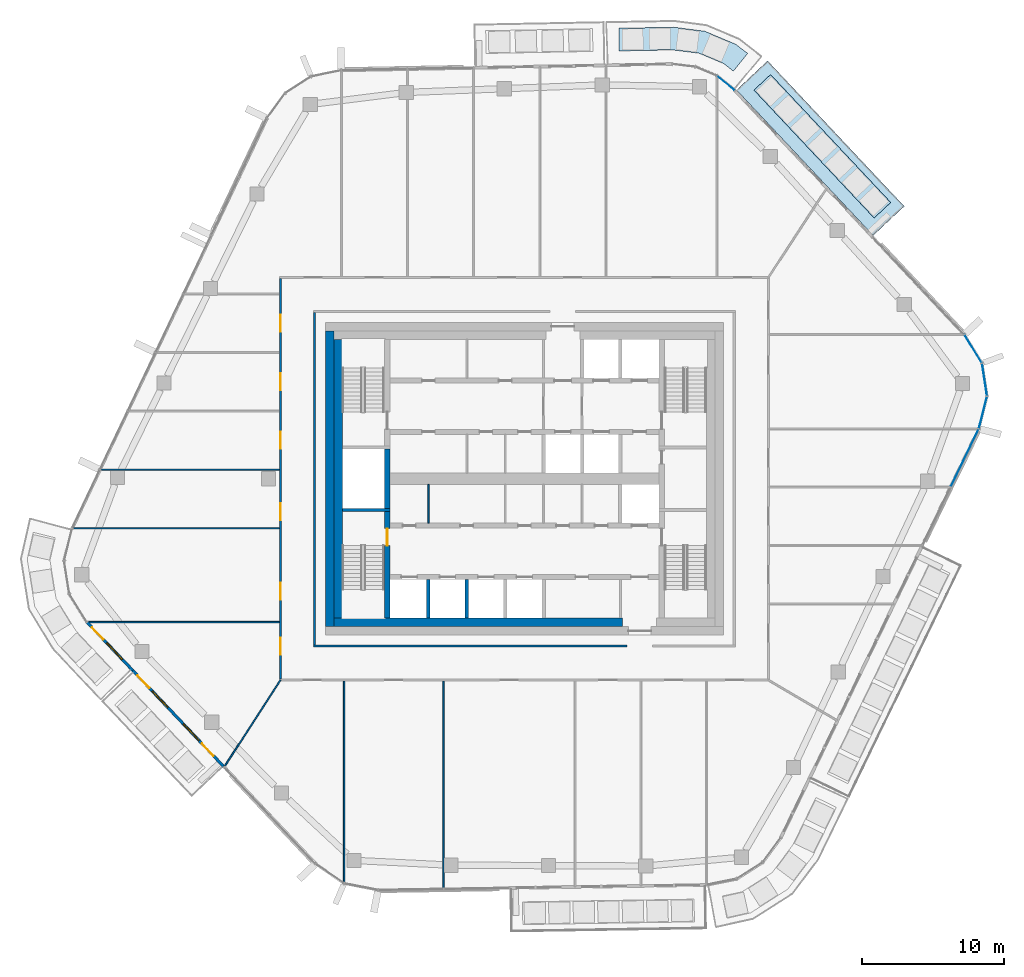
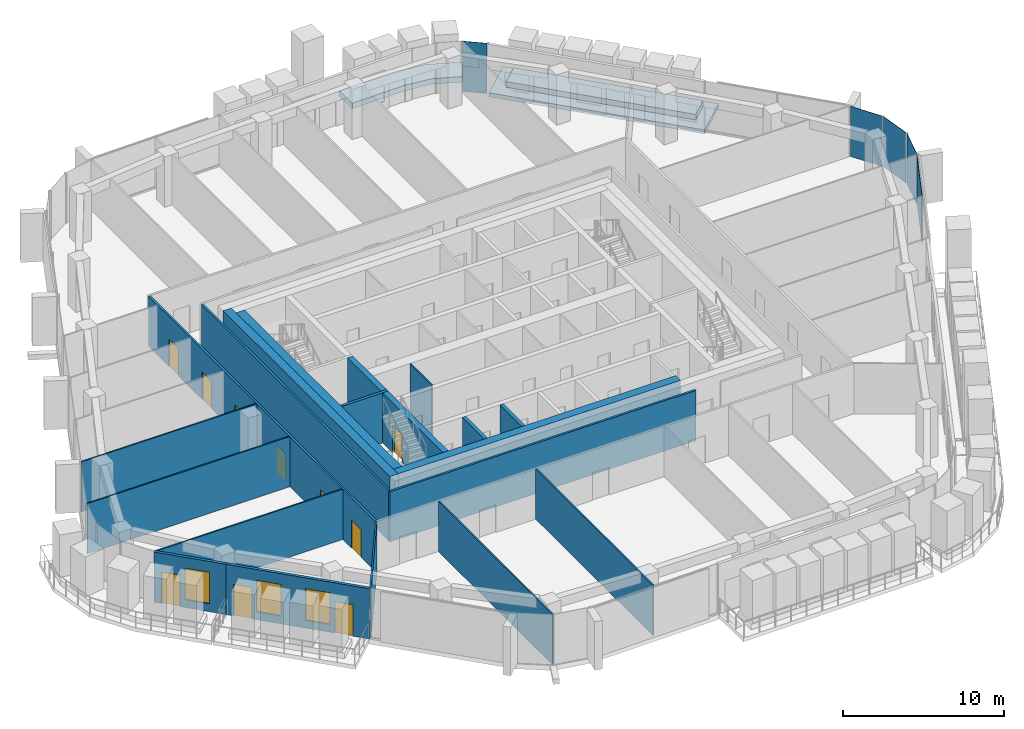
# One storey, part 12 of 24: 20 walls, 10 doors, 5 plates, 3 slabs, 3 windows, 13 openings, 3 elements without a shape of their own.
"""IFC4 building model written with IfcOpenShell, lengths in metres."""

from ifc_helpers import new_model, si_unit, direction, frame, frame_2d, origin, origin_2d, place, context, subcontext, project, spatial, polyline, rectangle, outline, extrude, material, layer, layer_set, type_object, element, fill, aggregate, save


model = new_model("IFC4")

# Units and contexts
model_context = context("Model", 3, precision=1e-05, world=origin(), true_north=direction((0.0, 1.0)))
body_context = subcontext(model_context, "Body", "Model", "MODEL_VIEW")
ifc_project = project(units=[si_unit("LENGTHUNIT", "METRE"), si_unit("AREAUNIT", "SQUARE_METRE"), si_unit("VOLUMEUNIT", "CUBIC_METRE"), si_unit("PLANEANGLEUNIT", "RADIAN"), si_unit("MASSUNIT", "GRAM", prefix="KILO")], contexts=[model_context])

# Site, building, storey
site_placement = place(None, origin())
site = spatial("IfcSite", under=ifc_project, at=site_placement, CompositionType="ELEMENT")
building_placement = place(site_placement, origin())
building = spatial("IfcBuilding", under=site, at=building_placement, Name="Dongbaek Canopy Tower", CompositionType="ELEMENT")
storey_placement = place(building_placement, frame((0.0, 0.0, 302.60009765625)))
storey = spatial("IfcBuildingStorey", under=building, at=storey_placement, Name="L64", CompositionType="ELEMENT", Elevation=302.60009765625)

# Slab
ifc_material_1 = material(Name="Concrete C40/50", Category="concrete")
ifc_layer_1 = layer(ifc_material_1, 0.300048828125)
ifc_layer_set_1 = layer_set([ifc_layer_1], Name="Balcony slab 300")
slab_type_1 = type_object("IfcSlabType", Name="Balcony slab 300", PredefinedType="FLOOR", material=ifc_layer_set_1)
slab_1_placement = place(storey_placement, frame((0.0, 0.0, -0.300048828125)))
element("IfcSlab", 1, at=slab_1_placement, inside=storey, type_object=slab_type_1, Name="Balcony L64 1", PredefinedType="FLOOR", context=body_context, shape_type="SweptSolid", body=[
    extrude(outline(polyline([(24.521240234375, 17.105224609375), (14.907958984375, 27.33447265625), (17.093994140625, 29.388916015625), (26.707275390625, 19.15966796875), (24.521240234375, 17.105224609375)])), origin(), (0.0, 0.0, 1.0), 0.300048828125),
])

# Curtain wall, plates
ifc_material_2 = material(Name="Aluminium 6063-T6 pale anodised", Category="aluminium")
ifc_layer_2 = layer(ifc_material_2, 0.199951171875)
ifc_layer_set_2 = layer_set([ifc_layer_2], Name="CW-1 unitised tower curtain wall")
curtain_wall_type = type_object("IfcCurtainWallType", Name="CW-1 unitised tower curtain wall", PredefinedType="NOTDEFINED", material=ifc_layer_set_2)
curtain_wall_1_placement = place(storey_placement, origin())
curtain_wall_1 = element("IfcCurtainWall", 2, at=curtain_wall_1_placement, inside=storey, type_object=curtain_wall_type, Name="CW-1 curtain wall K0.1", PredefinedType="NOTDEFINED")
ifc_material_3 = material(Name="Clear laminated glass", Category="glass")
ifc_layer_3 = layer(ifc_material_3, 0.028076171875)
ifc_layer_set_3 = layer_set([ifc_layer_3], Name="CW-1 glazed panel 28")
plate_type = type_object("IfcPlateType", Name="CW-1 glazed panel 28", PredefinedType="CURTAIN_PANEL", material=ifc_layer_set_3)
plate_1_placement = place(storey_placement, frame((32.23583984375, 4.656494140625, 0.0), z_axis=(0.0, 0.0, 1.0), x_axis=(0.247503311967, 0.968887047372, 0.0)))
plate_1 = element("IfcPlate", 3, at=plate_1_placement, type_object=plate_type, Name="CW-1 panel K0.1.1.1", PredefinedType="CURTAIN_PANEL", context=body_context, shape_type="SweptSolid", body=[
    extrude(rectangle(XDim=2.280029296875, YDim=0.028076171875, at=origin_2d()), origin(), (0.0, 0.0, 1.0), 3.820068359375),
])
plate_2_placement = place(storey_placement, frame((32.3505859375, 6.965087890625, 0.0), z_axis=(0.0, 0.0, 1.0), x_axis=(-0.151105947634, 0.988517573233, 0.0)))
plate_2 = element("IfcPlate", 4, at=plate_2_placement, type_object=plate_type, Name="CW-1 panel K0.1.2.1", PredefinedType="CURTAIN_PANEL", context=body_context, shape_type="SweptSolid", body=[
    extrude(rectangle(XDim=2.269775390625, YDim=0.028076171875, at=origin_2d()), origin(), (0.0, 0.0, 1.0), 3.820068359375),
])
plate_3_placement = place(storey_placement, frame((31.551513671875, 9.134033203125, 0.0), z_axis=(0.0, 0.0, 1.0), x_axis=(-0.525647852836, 0.850702259789, 0.0)))
plate_3 = element("IfcPlate", 5, at=plate_3_placement, type_object=plate_type, Name="CW-1 panel K0.1.3.1", PredefinedType="CURTAIN_PANEL", context=body_context, shape_type="SweptSolid", body=[
    extrude(rectangle(XDim=2.280029296875, YDim=0.028076171875, at=origin_2d()), origin(), (0.0, 0.0, 1.0), 3.820068359375),
])
aggregate(curtain_wall_1, [plate_1, plate_2, plate_3])

# Curtain wall, plate
curtain_wall_2_placement = place(storey_placement, origin())
curtain_wall_2 = element("IfcCurtainWall", 6, at=curtain_wall_2_placement, inside=storey, type_object=curtain_wall_type, Name="CW-1 curtain wall K1.1", PredefinedType="NOTDEFINED")
plate_4_placement = place(storey_placement, frame((14.164794921875, 27.8125, 0.0), z_axis=(0.0, 0.0, 1.0), x_axis=(-0.779328281128, 0.626615855396, 0.0)))
plate_4 = element("IfcPlate", 7, at=plate_4_placement, type_object=plate_type, Name="CW-1 panel K1.1.1.1", PredefinedType="CURTAIN_PANEL", context=body_context, shape_type="SweptSolid", body=[
    extrude(rectangle(XDim=1.560302734375, YDim=0.028076171875, at=origin_2d()), origin(), (0.0, 0.0, 1.0), 3.820068359375),
])
aggregate(curtain_wall_2, [plate_4])

curtain_wall_3_placement = place(storey_placement, origin())
curtain_wall_3 = element("IfcCurtainWall", 8, at=curtain_wall_3_placement, inside=storey, type_object=curtain_wall_type, Name="CW-1 curtain wall F5.1", PredefinedType="NOTDEFINED")
plate_5_placement = place(storey_placement, frame((30.951416015625, 1.462646484375, 0.1201171875), z_axis=(0.0, 0.0, 1.0), x_axis=(0.435863332121, 0.900012864193, 0.0)))
plate_5 = element("IfcPlate", 9, at=plate_5_placement, type_object=plate_type, Name="CW-1 panel F5.1.2.1", PredefinedType="CURTAIN_PANEL", context=body_context, shape_type="SweptSolid", body=[
    extrude(rectangle(XDim=4.468017578125, YDim=0.028076171875, at=origin_2d()), origin(), (0.0, 0.0, 1.0), 3.699951171875),
])
aggregate(curtain_wall_3, [plate_5])

# Slabs
ifc_material_4 = material(Name="Reinforced concrete C40/50 planter box with soil", Category="concrete")
ifc_layer_4 = layer(ifc_material_4, 0.419921875)
ifc_layer_set_4 = layer_set([ifc_layer_4], Name="Terrace planter box 1600 x 420")
slab_type_2 = type_object("IfcSlabType", Name="Terrace planter box 1600 x 420", PredefinedType="USERDEFINED", material=ifc_layer_set_4)
slab_2_placement = place(storey_placement, origin())
element("IfcSlab", 10, at=slab_2_placement, inside=storey, type_object=slab_type_2, Name="Balcony planter L64 1", ObjectType="PLANTER", PredefinedType="USERDEFINED", context=body_context, shape_type="SweptSolid", body=[
    extrude(outline(polyline([(24.587646484375, 18.334228515625), (16.138427734375, 27.324462890625), (17.304443359375, 28.420166015625), (25.75341796875, 19.429931640625), (24.587646484375, 18.334228515625)])), origin(), (0.0, 0.0, 1.0), 0.419921875),
])
slab_3_placement = place(storey_placement, origin())
element("IfcSlab", 11, at=slab_3_placement, inside=storey, type_object=slab_type_2, Name="Balcony planter L64 6", ObjectType="PLANTER", PredefinedType="USERDEFINED", context=body_context, shape_type="SweptSolid", body=[
    extrude(outline(polyline([(14.69091796875, 28.65966796875), (14.03173828125, 29.1787109375), (12.26953125, 29.921142578125), (10.43310546875, 30.149658203125), (6.666015625, 30.08056640625), (6.6357421875, 31.68017578125), (10.51416015625, 31.74755859375), (12.68017578125, 31.467529296875), (14.851806640625, 30.552490234375), (15.693603515625, 29.90673828125), (14.69091796875, 28.65966796875)])), origin(), (0.0, 0.0, 1.0), 0.419921875),
])

# Walls
ifc_material_5 = material(Name="Concrete C80/95", Category="concrete")
ifc_layer_5 = layer(ifc_material_5, 0.60009765625)
ifc_layer_set_5 = layer_set([ifc_layer_5], Name="Core outer wall 600 Concrete C80/95")
wall_type_1 = type_object("IfcWallType", Name="Core outer wall 600 Concrete C80/95", PredefinedType="SHEAR", material=ifc_layer_set_5)
wall_1_placement = place(storey_placement, frame((-13.699951171875, -10.39990234375, 0.0), z_axis=(0.0, 0.0, 1.0), x_axis=(0.0, 1.0, 0.0)))
element("IfcWall", 12, at=wall_1_placement, inside=storey, type_object=wall_type_1, Name="Core wall", PredefinedType="SHEAR", context=body_context, shape_type="SweptSolid", body=[
    extrude(rectangle(XDim=20.7998046875, YDim=0.60009765625, at=frame_2d((10.39990234375, 0.0))), origin(), (0.0, 0.0, 1.0), 3.81982421875),
])
ifc_material_6 = material(Name="Concrete C60/75", Category="concrete")
ifc_layer_6 = layer(ifc_material_6, 0.60009765625)
ifc_layer_set_6 = layer_set([ifc_layer_6], Name="Core wall lining 600 Concrete C60/75")
wall_type_2 = type_object("IfcWallType", Name="Core wall lining 600 Concrete C60/75", PredefinedType="SHEAR", material=ifc_layer_set_6)
wall_2_placement = place(storey_placement, frame((6.89990234375, -10.10009765625, 0.0), z_axis=(0.0, 0.0, 1.0), x_axis=(-1.0, 0.0, 0.0)))
element("IfcWall", 13, at=wall_2_placement, inside=storey, type_object=wall_type_2, Name="Core wall lining", PredefinedType="SHEAR", context=body_context, shape_type="SweptSolid", body=[
    extrude(rectangle(XDim=20.2998046875, YDim=0.60009765625, at=frame_2d((10.14990234375, 0.0))), origin(), (0.0, 0.0, 1.0), 3.81982421875),
])
wall_3_placement = place(storey_placement, frame((-13.10009765625, -9.800048828125, 0.0), z_axis=(0.0, 0.0, 1.0), x_axis=(0.0, 1.0, 0.0)))
element("IfcWall", 14, at=wall_3_placement, inside=storey, type_object=wall_type_2, Name="Core wall lining", PredefinedType="SHEAR", context=body_context, shape_type="SweptSolid", body=[
    extrude(rectangle(XDim=19.60009765625, YDim=0.60009765625, at=frame_2d((9.800048828125, 0.0))), origin(), (0.0, 0.0, 1.0), 3.81982421875),
])
ifc_material_7 = material(Name="Gypsum board partition, steel stud, 2 x 15 mm fire board", Category="steel")
ifc_layer_7 = layer(ifc_material_7, 0.14990234375)
ifc_layer_set_7 = layer_set([ifc_layer_7], Name="Fire-rated partition 150 gypsum board")
wall_type_3 = type_object("IfcWallType", Name="Fire-rated partition 150 gypsum board", PredefinedType="PARTITIONING", material=ifc_layer_set_7)
wall_4_placement = place(storey_placement, frame((-14.824951171875, -11.75, 0.0), z_axis=(0.0, 0.0, 1.0), x_axis=(1.0, 0.0, 0.0)))
element("IfcWall", 15, at=wall_4_placement, inside=storey, type_object=wall_type_3, Name="Corridor partition", PredefinedType="PARTITIONING", context=body_context, shape_type="SweptSolid", body=[
    extrude(rectangle(XDim=22.02490234375, YDim=0.14990234375, at=frame_2d((11.012451171875, 0.0))), origin(), (0.0, 0.0, 1.0), 3.81982421875),
])
wall_5_placement = place(storey_placement, frame((-14.75, -11.675048828125, 0.0), z_axis=(0.0, 0.0, 1.0), x_axis=(0.0, 1.0, 0.0)))
element("IfcWall", 16, at=wall_5_placement, inside=storey, type_object=wall_type_3, Name="Corridor partition", PredefinedType="PARTITIONING", context=body_context, shape_type="SweptSolid", body=[
    extrude(rectangle(XDim=23.35009765625, YDim=0.14990234375, at=frame_2d((11.675048828125, 0.0))), origin(), (0.0, 0.0, 1.0), 3.81982421875),
])

# Wall, openings, doors
wall_6_placement = place(storey_placement, frame((-17.14990234375, -14.074951171875, 0.0), z_axis=(0.0, 0.0, 1.0), x_axis=(0.0, 1.0, 0.0)))
wall_6 = element("IfcWall", 17, at=wall_6_placement, inside=storey, type_object=wall_type_3, Name="Corridor partition", PredefinedType="PARTITIONING", context=body_context, shape_type="SweptSolid", body=[
    extrude(rectangle(XDim=28.14990234375, YDim=0.14990234375, at=frame_2d((14.074951171875, 0.0))), origin(), (0.0, 0.0, 1.0), 3.81982421875),
])
opening_1_placement = place(wall_6_placement, frame((11.151123046875, 0.0, 0.0)))
opening_1 = element("IfcOpeningElement", 18, at=opening_1_placement, cuts=wall_6, Name="Opening L64-D001", PredefinedType="OPENING", context=body_context, shape_type="SweptSolid", body=[
    extrude(rectangle(XDim=1.199951171875, YDim=2.10009765625, at=frame_2d((0.60009765625, 1.050048828125))), frame((0.0, 0.0849609375, 0.0), z_axis=(0.0, -1.0, 0.0), x_axis=(1.0, 0.0, 0.0)), (0.0, 0.0, 1.0), 0.169921875),
])
opening_2_placement = place(wall_6_placement, frame((5.5546875, 0.0, 0.0)))
opening_2 = element("IfcOpeningElement", 19, at=opening_2_placement, cuts=wall_6, Name="Opening L64-D002", PredefinedType="OPENING", context=body_context, shape_type="SweptSolid", body=[
    extrude(rectangle(XDim=1.199951171875, YDim=2.10009765625, at=frame_2d((0.60009765625, 1.050048828125))), frame((0.0, 0.0849609375, 0.0), z_axis=(0.0, -1.0, 0.0), x_axis=(1.0, 0.0, 0.0)), (0.0, 0.0, 1.0), 0.169921875),
])
opening_3_placement = place(wall_6_placement, frame((1.7001953125, 0.0, 0.0)))
opening_3 = element("IfcOpeningElement", 20, at=opening_3_placement, cuts=wall_6, Name="Opening L64-D003", PredefinedType="OPENING", context=body_context, shape_type="SweptSolid", body=[
    extrude(rectangle(XDim=1.199951171875, YDim=2.10009765625, at=frame_2d((0.60009765625, 1.050048828125))), frame((0.0, 0.0849609375, 0.0), z_axis=(0.0, -1.0, 0.0), x_axis=(1.0, 0.0, 0.0)), (0.0, 0.0, 1.0), 0.169921875),
])
opening_4_placement = place(wall_6_placement, frame((24.40966796875, 0.0, 0.0)))
opening_4 = element("IfcOpeningElement", 21, at=opening_4_placement, cuts=wall_6, Name="Opening L64-D023", PredefinedType="OPENING", context=body_context, shape_type="SweptSolid", body=[
    extrude(rectangle(XDim=1.199951171875, YDim=2.10009765625, at=frame_2d((0.60009765625, 1.050048828125))), frame((0.0, 0.0849609375, 0.0), z_axis=(0.0, -1.0, 0.0), x_axis=(1.0, 0.0, 0.0)), (0.0, 0.0, 1.0), 0.169921875),
])
opening_5_placement = place(wall_6_placement, frame((20.2900390625, 0.0, 0.0)))
opening_5 = element("IfcOpeningElement", 22, at=opening_5_placement, cuts=wall_6, Name="Opening L64-D024", PredefinedType="OPENING", context=body_context, shape_type="SweptSolid", body=[
    extrude(rectangle(XDim=1.199951171875, YDim=2.10009765625, at=frame_2d((0.60009765625, 1.050048828125))), frame((0.0, 0.0849609375, 0.0), z_axis=(0.0, -1.0, 0.0), x_axis=(1.0, 0.0, 0.0)), (0.0, 0.0, 1.0), 0.169921875),
])
opening_6_placement = place(wall_6_placement, frame((16.17041015625, 0.0, 0.0)))
opening_6 = element("IfcOpeningElement", 23, at=opening_6_placement, cuts=wall_6, Name="Opening L64-D025", PredefinedType="OPENING", context=body_context, shape_type="SweptSolid", body=[
    extrude(rectangle(XDim=1.199951171875, YDim=2.10009765625, at=frame_2d((0.60009765625, 1.050048828125))), frame((0.0, 0.0849609375, 0.0), z_axis=(0.0, -1.0, 0.0), x_axis=(1.0, 0.0, 0.0)), (0.0, 0.0, 1.0), 0.169921875),
])
ifc_material_8 = material(Name="Timber veneered door leaf", Category="wood")
door_type_1 = type_object("IfcDoorType", Name="Room door 1200 x 2100", OperationType="SINGLE_SWING_LEFT", PredefinedType="DOOR", material=ifc_material_8)
door_1_placement = place(opening_1_placement, origin())
door_1 = element("IfcDoor", 24, at=door_1_placement, inside=storey, type_object=door_type_1, Name="Door L64-D001", OperationType="SINGLE_SWING_RIGHT", OverallHeight=2.10009765625, OverallWidth=1.199951171875, PredefinedType="DOOR", context=body_context, shape_type="SweptSolid", body=[
    extrude(rectangle(XDim=1.199951171875, YDim=2.10009765625, at=frame_2d((0.60009765625, 1.050048828125))), frame((0.0, 0.02490234375, 0.0), z_axis=(0.0, -1.0, 0.0), x_axis=(1.0, 0.0, 0.0)), (0.0, 0.0, 1.0), 0.050048828125),
])
fill(opening_1, door_1)
door_2_placement = place(opening_2_placement, origin())
door_2 = element("IfcDoor", 25, at=door_2_placement, inside=storey, type_object=door_type_1, Name="Door L64-D002", OperationType="SINGLE_SWING_LEFT", OverallHeight=2.10009765625, OverallWidth=1.199951171875, PredefinedType="DOOR", context=body_context, shape_type="SweptSolid", body=[
    extrude(rectangle(XDim=1.199951171875, YDim=2.10009765625, at=frame_2d((0.60009765625, 1.050048828125))), frame((0.0, 0.02490234375, 0.0), z_axis=(0.0, -1.0, 0.0), x_axis=(1.0, 0.0, 0.0)), (0.0, 0.0, 1.0), 0.050048828125),
])
fill(opening_2, door_2)
door_3_placement = place(opening_3_placement, origin())
door_3 = element("IfcDoor", 26, at=door_3_placement, inside=storey, type_object=door_type_1, Name="Door L64-D003", OperationType="SINGLE_SWING_RIGHT", OverallHeight=2.10009765625, OverallWidth=1.199951171875, PredefinedType="DOOR", context=body_context, shape_type="SweptSolid", body=[
    extrude(rectangle(XDim=1.199951171875, YDim=2.10009765625, at=frame_2d((0.60009765625, 1.050048828125))), frame((0.0, 0.02490234375, 0.0), z_axis=(0.0, -1.0, 0.0), x_axis=(1.0, 0.0, 0.0)), (0.0, 0.0, 1.0), 0.050048828125),
])
fill(opening_3, door_3)
door_4_placement = place(opening_4_placement, origin())
door_4 = element("IfcDoor", 27, at=door_4_placement, inside=storey, type_object=door_type_1, Name="Door L64-D023", OperationType="SINGLE_SWING_RIGHT", OverallHeight=2.10009765625, OverallWidth=1.199951171875, PredefinedType="DOOR", context=body_context, shape_type="SweptSolid", body=[
    extrude(rectangle(XDim=1.199951171875, YDim=2.10009765625, at=frame_2d((0.60009765625, 1.050048828125))), frame((0.0, 0.02490234375, 0.0), z_axis=(0.0, -1.0, 0.0), x_axis=(1.0, 0.0, 0.0)), (0.0, 0.0, 1.0), 0.050048828125),
])
fill(opening_4, door_4)
door_5_placement = place(opening_5_placement, origin())
door_5 = element("IfcDoor", 28, at=door_5_placement, inside=storey, type_object=door_type_1, Name="Door L64-D024", OperationType="SINGLE_SWING_LEFT", OverallHeight=2.10009765625, OverallWidth=1.199951171875, PredefinedType="DOOR", context=body_context, shape_type="SweptSolid", body=[
    extrude(rectangle(XDim=1.199951171875, YDim=2.10009765625, at=frame_2d((0.60009765625, 1.050048828125))), frame((0.0, 0.02490234375, 0.0), z_axis=(0.0, -1.0, 0.0), x_axis=(1.0, 0.0, 0.0)), (0.0, 0.0, 1.0), 0.050048828125),
])
fill(opening_5, door_5)
door_6_placement = place(opening_6_placement, origin())
door_6 = element("IfcDoor", 29, at=door_6_placement, inside=storey, type_object=door_type_1, Name="Door L64-D025", OperationType="SINGLE_SWING_RIGHT", OverallHeight=2.10009765625, OverallWidth=1.199951171875, PredefinedType="DOOR", context=body_context, shape_type="SweptSolid", body=[
    extrude(rectangle(XDim=1.199951171875, YDim=2.10009765625, at=frame_2d((0.60009765625, 1.050048828125))), frame((0.0, 0.02490234375, 0.0), z_axis=(0.0, -1.0, 0.0), x_axis=(1.0, 0.0, 0.0)), (0.0, 0.0, 1.0), 0.050048828125),
])
fill(opening_6, door_6)

# Walls
ifc_material_9 = material(Name="Concrete C40/50", Category="concrete")
ifc_layer_8 = layer(ifc_material_9, 0.25)
ifc_layer_set_8 = layer_set([ifc_layer_8], Name="Lift shaft wall 250 Concrete C40/50")
wall_type_4 = type_object("IfcWallType", Name="Lift shaft wall 250 Concrete C40/50", PredefinedType="SOLIDWALL", material=ifc_layer_set_8)
for number, where, z_axis, x_axis, name in (
    (30, (-4.050048828125, -9.800048828125, 0.0), (0.0, 0.0, 1.0), (0.0, 1.0, 0.0), "Lift shaft wall"),
    (31, (-6.75, -9.800048828125, 0.0), (0.0, 0.0, 1.0), (0.0, 1.0, 0.0), "Lift shaft wall"),
):
    element("IfcWall", number, at=place(storey_placement, frame(where, z_axis=z_axis, x_axis=x_axis)), inside=storey, type_object=wall_type_4, Name=name, PredefinedType="SOLIDWALL", context=body_context, shape_type="SweptSolid", body=[
        extrude(rectangle(XDim=2.72509765625, YDim=0.25, at=frame_2d((1.362548828125, 0.0))), origin(), (0.0, 0.0, 1.0), 3.81982421875),
    ])
ifc_material_10 = material(Name="Gypsum board partition, steel stud, 2 x 12.5 mm board", Category="steel")
ifc_layer_9 = layer(ifc_material_10, 0.10009765625)
ifc_layer_set_9 = layer_set([ifc_layer_9], Name="Partition 100 gypsum board")
wall_type_5 = type_object("IfcWallType", Name="Partition 100 gypsum board", PredefinedType="PARTITIONING", material=ifc_layer_set_9)
wall_7_placement = place(storey_placement, frame((-30.7255859375, -10.0791015625, 0.0), z_axis=(0.0, 0.0, 1.0), x_axis=(1.0, 0.0, 0.0)))
element("IfcWall", 32, at=wall_7_placement, inside=storey, type_object=wall_type_5, Name="Partition", PredefinedType="PARTITIONING", context=body_context, shape_type="SweptSolid", body=[
    extrude(rectangle(XDim=13.50048828125, YDim=0.10009765625, at=frame_2d((6.750244140625, 0.0))), origin(), (0.0, 0.0, 1.0), 3.81982421875),
])
wall_8_placement = place(storey_placement, frame((-31.777099609375, -3.47509765625, 0.0), z_axis=(0.0, 0.0, 1.0), x_axis=(1.0, 0.0, 0.0)))
element("IfcWall", 33, at=wall_8_placement, inside=storey, type_object=wall_type_5, Name="Partition", PredefinedType="PARTITIONING", context=body_context, shape_type="SweptSolid", body=[
    extrude(rectangle(XDim=14.552001953125, YDim=0.10009765625, at=frame_2d((7.27587890625, 0.0))), origin(), (0.0, 0.0, 1.0), 3.81982421875),
])
wall_9_placement = place(storey_placement, frame((-29.82421875, 0.635009765625, 0.0), z_axis=(0.0, 0.0, 1.0), x_axis=(1.0, 0.0, 0.0)))
element("IfcWall", 34, at=wall_9_placement, inside=storey, type_object=wall_type_5, Name="Partition", PredefinedType="PARTITIONING", context=body_context, shape_type="SweptSolid", body=[
    extrude(rectangle(XDim=12.59912109375, YDim=0.10009765625, at=frame_2d((6.299560546875, 0.0))), origin(), (0.0, 0.0, 1.0), 3.81982421875),
])
wall_10_placement = place(storey_placement, frame((-21.09912109375, -20.251953125, 0.0), z_axis=(0.0, 0.0, 1.0), x_axis=(0.543308378863, 0.839533206882, 0.0)))
element("IfcWall", 35, at=wall_10_placement, inside=storey, type_object=wall_type_5, Name="Partition", PredefinedType="PARTITIONING", context=body_context, shape_type="SweptSolid", body=[
    extrude(rectangle(XDim=7.268310546875, YDim=0.10009765625, at=frame_2d((3.63427734375, 0.0))), origin(), (0.0, 0.0, 1.0), 3.81982421875),
])
wall_11_placement = place(storey_placement, frame((-5.677001953125, -28.81982421875, 0.0), z_axis=(0.0, 0.0, 1.0), x_axis=(0.0, 1.0, 0.0)))
element("IfcWall", 36, at=wall_11_placement, inside=storey, type_object=wall_type_5, Name="Partition", PredefinedType="PARTITIONING", context=body_context, shape_type="SweptSolid", body=[
    extrude(rectangle(XDim=14.5947265625, YDim=0.10009765625, at=frame_2d((7.29736328125, 0.0))), origin(), (0.0, 0.0, 1.0), 3.81982421875),
])
wall_12_placement = place(storey_placement, frame((-12.680908203125, -28.424072265625, 0.0), z_axis=(0.0, 0.0, 1.0), x_axis=(0.0, 1.0, 0.0)))
element("IfcWall", 37, at=wall_12_placement, inside=storey, type_object=wall_type_5, Name="Partition", PredefinedType="PARTITIONING", context=body_context, shape_type="SweptSolid", body=[
    extrude(rectangle(XDim=14.198974609375, YDim=0.10009765625, at=frame_2d((7.099609375, 0.0))), origin(), (0.0, 0.0, 1.0), 3.81982421875),
])
wall_13_placement = place(storey_placement, frame((-6.75, -3.125, 0.0), z_axis=(0.0, 0.0, 1.0), x_axis=(0.0, 1.0, 0.0)))
element("IfcWall", 38, at=wall_13_placement, inside=storey, type_object=wall_type_5, Name="Core partition", PredefinedType="PARTITIONING", context=body_context, shape_type="SweptSolid", body=[
    extrude(rectangle(XDim=2.72509765625, YDim=0.10009765625, at=frame_2d((1.362548828125, 0.0))), origin(), (0.0, 0.0, 1.0), 3.81982421875),
])
ifc_material_11 = material(Name="Concrete C60/75", Category="concrete")
ifc_layer_10 = layer(ifc_material_11, 0.199951171875)
ifc_layer_set_10 = layer_set([ifc_layer_10], Name="Riser wall 200 Concrete C60/75")
wall_type_6 = type_object("IfcWallType", Name="Riser wall 200 Concrete C60/75", PredefinedType="SHEAR", material=ifc_layer_set_10)
wall_14_placement = place(storey_placement, frame((-9.449951171875, -2.199951171875, 0.0), z_axis=(0.0, 0.0, 1.0), x_axis=(-1.0, 0.0, 0.0)))
element("IfcWall", 39, at=wall_14_placement, inside=storey, type_object=wall_type_6, Name="Riser wall", PredefinedType="SHEAR", context=body_context, shape_type="SweptSolid", body=[
    extrude(rectangle(XDim=3.35009765625, YDim=0.199951171875, at=frame_2d((1.675048828125, 0.0))), origin(), (0.0, 0.0, 1.0), 3.81982421875),
])

# Wall, opening, door
ifc_material_12 = material(Name="Concrete C60/75", Category="concrete")
ifc_layer_11 = layer(ifc_material_12, 0.39990234375)
ifc_layer_set_11 = layer_set([ifc_layer_11], Name="Stair wall 400 Concrete C60/75")
wall_type_7 = type_object("IfcWallType", Name="Stair wall 400 Concrete C60/75", PredefinedType="SHEAR", material=ifc_layer_set_11)
wall_15_placement = place(storey_placement, frame((-9.64990234375, -9.800048828125, 0.0), z_axis=(0.0, 0.0, 1.0), x_axis=(0.0, 1.0, 0.0)))
wall_15 = element("IfcWall", 40, at=wall_15_placement, inside=storey, type_object=wall_type_7, Name="Stair wall", PredefinedType="SHEAR", context=body_context, shape_type="SweptSolid", body=[
    extrude(rectangle(XDim=7.5, YDim=0.39990234375, at=frame_2d((3.75, 0.0))), origin(), (0.0, 0.0, 1.0), 3.81982421875),
])
opening_7_placement = place(wall_15_placement, frame((5.10009765625, 0.0, 0.0)))
opening_7 = element("IfcOpeningElement", 41, at=opening_7_placement, cuts=wall_15, Name="Opening L64-D055", PredefinedType="OPENING", context=body_context, shape_type="SweptSolid", body=[
    extrude(rectangle(XDim=1.199951171875, YDim=2.10009765625, at=frame_2d((0.60009765625, 1.050048828125))), frame((0.0, 0.2099609375, 0.0), z_axis=(0.0, -1.0, 0.0), x_axis=(1.0, 0.0, 0.0)), (0.0, 0.0, 1.0), 0.419921875),
])
ifc_material_13 = material(Name="Steel", Category="steel")
door_type_2 = type_object("IfcDoorType", Name="Stair door 1200 x 2100", OperationType="SINGLE_SWING_LEFT", PredefinedType="DOOR", material=ifc_material_13)
door_7_placement = place(opening_7_placement, origin())
door_7 = element("IfcDoor", 42, at=door_7_placement, inside=storey, type_object=door_type_2, Name="Stair D door", OperationType="SINGLE_SWING_LEFT", OverallHeight=2.10009765625, OverallWidth=1.199951171875, PredefinedType="DOOR", context=body_context, shape_type="SweptSolid", body=[
    extrude(rectangle(XDim=1.199951171875, YDim=2.10009765625, at=frame_2d((0.60009765625, 1.050048828125))), frame((0.0, 0.02490234375, 0.0), z_axis=(0.0, -1.0, 0.0), x_axis=(1.0, 0.0, 0.0)), (0.0, 0.0, 1.0), 0.050048828125),
])
fill(opening_7, door_7)

# Wall
wall_16_placement = place(storey_placement, frame((-9.64990234375, -2.10009765625, 0.0), z_axis=(0.0, 0.0, 1.0), x_axis=(0.0, 1.0, 0.0)))
element("IfcWall", 43, at=wall_16_placement, inside=storey, type_object=wall_type_7, Name="Stair wall", PredefinedType="SHEAR", context=body_context, shape_type="SweptSolid", body=[
    extrude(rectangle(XDim=4.2001953125, YDim=0.39990234375, at=frame_2d((2.10009765625, 0.0))), origin(), (0.0, 0.0, 1.0), 3.81982421875),
])

# Wall, openings, doors, windows
ifc_material_14 = material(Name="Aluminium window wall", Category="aluminium")
ifc_layer_12 = layer(ifc_material_14, 0.199951171875)
ifc_layer_set_12 = layer_set([ifc_layer_12], Name="Window wall 200")
wall_type_8 = type_object("IfcWallType", Name="Window wall 200", PredefinedType="SOLIDWALL", material=ifc_layer_set_12)
wall_17_placement = place(storey_placement, frame((-27.54345703125, -13.470703125, 0.0), z_axis=(0.0, 0.0, 1.0), x_axis=(0.687314061727, -0.726360365488, 0.0)))
wall_17 = element("IfcWall", 44, at=wall_17_placement, inside=storey, type_object=wall_type_8, Name="Window wall L64 3", PredefinedType="SOLIDWALL", context=body_context, shape_type="SweptSolid", body=[
    extrude(rectangle(XDim=9.360107421875, YDim=0.199951171875, at=frame_2d((4.68017578125, 0.0))), origin(), (0.0, 0.0, 1.0), 3.81982421875),
])
opening_8_placement = place(wall_17_placement, frame((2.0, 0.0, 0.60009765625)))
opening_8 = element("IfcOpeningElement", 45, at=opening_8_placement, cuts=wall_17, Name="Opening W1", PredefinedType="OPENING", context=body_context, shape_type="SweptSolid", body=[
    extrude(rectangle(XDim=1.60009765625, YDim=2.39990234375, at=frame_2d((0.800048828125, 1.199951171875))), frame((0.0, 0.10986328125, 0.0), z_axis=(0.0, -1.0, 0.0), x_axis=(1.0, 0.0, 0.0)), (0.0, 0.0, 1.0), 0.219970703125),
])
opening_9_placement = place(wall_17_placement, frame((0.5, 0.0, 0.0)))
opening_9 = element("IfcOpeningElement", 46, at=opening_9_placement, cuts=wall_17, Name="Opening L64-B07", PredefinedType="OPENING", context=body_context, shape_type="SweptSolid", body=[
    extrude(rectangle(XDim=1.199951171875, YDim=2.39990234375, at=frame_2d((0.60009765625, 1.199951171875))), frame((0.0, 0.10986328125, 0.0), z_axis=(0.0, -1.0, 0.0), x_axis=(1.0, 0.0, 0.0)), (0.0, 0.0, 1.0), 0.219970703125),
])
opening_10_placement = place(wall_17_placement, frame((5.179931640625, 0.0, 0.60009765625)))
opening_10 = element("IfcOpeningElement", 47, at=opening_10_placement, cuts=wall_17, Name="Opening W1", PredefinedType="OPENING", context=body_context, shape_type="SweptSolid", body=[
    extrude(rectangle(XDim=1.60009765625, YDim=2.39990234375, at=frame_2d((0.800048828125, 1.199951171875))), frame((0.0, 0.10986328125, 0.0), z_axis=(0.0, -1.0, 0.0), x_axis=(1.0, 0.0, 0.0)), (0.0, 0.0, 1.0), 0.219970703125),
])
opening_11_placement = place(wall_17_placement, frame((7.080078125, 0.0, 0.0)))
opening_11 = element("IfcOpeningElement", 48, at=opening_11_placement, cuts=wall_17, Name="Opening L64-B08", PredefinedType="OPENING", context=body_context, shape_type="SweptSolid", body=[
    extrude(rectangle(XDim=1.199951171875, YDim=2.39990234375, at=frame_2d((0.60009765625, 1.199951171875))), frame((0.0, 0.10986328125, 0.0), z_axis=(0.0, -1.0, 0.0), x_axis=(1.0, 0.0, 0.0)), (0.0, 0.0, 1.0), 0.219970703125),
])
ifc_material_15 = material(Name="Clear glazing in aluminium frame", Category="aluminium")
door_type_3 = type_object("IfcDoorType", Name="Balcony door BD1 1200 x 2400", OperationType="SLIDING_TO_LEFT", PredefinedType="DOOR", material=ifc_material_15)
door_8_placement = place(opening_9_placement, origin())
door_8 = element("IfcDoor", 49, at=door_8_placement, inside=storey, type_object=door_type_3, Name="Balcony door L64-B07", OperationType="SLIDING_TO_LEFT", OverallHeight=2.39990234375, OverallWidth=1.199951171875, PredefinedType="DOOR", context=body_context, shape_type="SweptSolid", body=[
    extrude(rectangle(XDim=1.199951171875, YDim=2.39990234375, at=frame_2d((0.60009765625, 1.199951171875))), frame((0.0, 0.02490234375, 0.0), z_axis=(0.0, -1.0, 0.0), x_axis=(1.0, 0.0, 0.0)), (0.0, 0.0, 1.0), 0.050048828125),
])
fill(opening_9, door_8)
door_9_placement = place(opening_11_placement, origin())
door_9 = element("IfcDoor", 50, at=door_9_placement, inside=storey, type_object=door_type_3, Name="Balcony door L64-B08", OperationType="SLIDING_TO_LEFT", OverallHeight=2.39990234375, OverallWidth=1.199951171875, PredefinedType="DOOR", context=body_context, shape_type="SweptSolid", body=[
    extrude(rectangle(XDim=1.199951171875, YDim=2.39990234375, at=frame_2d((0.60009765625, 1.199951171875))), frame((0.0, 0.02490234375, 0.0), z_axis=(0.0, -1.0, 0.0), x_axis=(1.0, 0.0, 0.0)), (0.0, 0.0, 1.0), 0.050048828125),
])
fill(opening_11, door_9)
ifc_material_16 = material(Name="Clear glazing in aluminium frame", Category="aluminium")
window_type = type_object("IfcWindowType", Name="Window W1 1600 x 2400", PartitioningType="SINGLE_PANEL", PredefinedType="WINDOW", material=ifc_material_16)
window_1_placement = place(opening_8_placement, origin())
window_1 = element("IfcWindow", 51, at=window_1_placement, inside=storey, type_object=window_type, Name="Window L64 3.1", OverallHeight=2.39990234375, OverallWidth=1.60009765625, PartitioningType="SINGLE_PANEL", PredefinedType="WINDOW", context=body_context, shape_type="SweptSolid", body=[
    extrude(rectangle(XDim=1.60009765625, YDim=2.39990234375, at=frame_2d((0.800048828125, 1.199951171875))), frame((0.0, 0.030029296875, 0.0), z_axis=(0.0, -1.0, 0.0), x_axis=(1.0, 0.0, 0.0)), (0.0, 0.0, 1.0), 0.06005859375),
])
fill(opening_8, window_1)
window_2_placement = place(opening_10_placement, origin())
window_2 = element("IfcWindow", 52, at=window_2_placement, inside=storey, type_object=window_type, Name="Window L64 3.2", OverallHeight=2.39990234375, OverallWidth=1.60009765625, PartitioningType="SINGLE_PANEL", PredefinedType="WINDOW", context=body_context, shape_type="SweptSolid", body=[
    extrude(rectangle(XDim=1.60009765625, YDim=2.39990234375, at=frame_2d((0.800048828125, 1.199951171875))), frame((0.0, 0.030029296875, 0.0), z_axis=(0.0, -1.0, 0.0), x_axis=(1.0, 0.0, 0.0)), (0.0, 0.0, 1.0), 0.06005859375),
])
fill(opening_10, window_2)

# Wall, openings, door, window
wall_18_placement = place(storey_placement, frame((-30.753173828125, -10.07861328125, 0.0), z_axis=(0.0, 0.0, 1.0), x_axis=(0.687310953658, -0.726363306467, 0.0)))
wall_18 = element("IfcWall", 53, at=wall_18_placement, inside=storey, type_object=wall_type_8, Name="Window wall L64 7", PredefinedType="SOLIDWALL", context=body_context, shape_type="SweptSolid", body=[
    extrude(rectangle(XDim=4.669921875, YDim=0.199951171875, at=frame_2d((2.3349609375, 0.0))), origin(), (0.0, 0.0, 1.0), 3.81982421875),
])
opening_12_placement = place(wall_18_placement, frame((2.0, 0.0, 0.60009765625)))
opening_12 = element("IfcOpeningElement", 54, at=opening_12_placement, cuts=wall_18, Name="Opening W1", PredefinedType="OPENING", context=body_context, shape_type="SweptSolid", body=[
    extrude(rectangle(XDim=1.60009765625, YDim=2.39990234375, at=frame_2d((0.800048828125, 1.199951171875))), frame((0.0, 0.10986328125, 0.0), z_axis=(0.0, -1.0, 0.0), x_axis=(1.0, 0.0, 0.0)), (0.0, 0.0, 1.0), 0.219970703125),
])
opening_13_placement = place(wall_18_placement, frame((0.5, 0.0, 0.0)))
opening_13 = element("IfcOpeningElement", 55, at=opening_13_placement, cuts=wall_18, Name="Opening L64-B09", PredefinedType="OPENING", context=body_context, shape_type="SweptSolid", body=[
    extrude(rectangle(XDim=1.199951171875, YDim=2.39990234375, at=frame_2d((0.60009765625, 1.199951171875))), frame((0.0, 0.10986328125, 0.0), z_axis=(0.0, -1.0, 0.0), x_axis=(1.0, 0.0, 0.0)), (0.0, 0.0, 1.0), 0.219970703125),
])
door_10_placement = place(opening_13_placement, origin())
door_10 = element("IfcDoor", 56, at=door_10_placement, inside=storey, type_object=door_type_3, Name="Balcony door L64-B09", OperationType="SLIDING_TO_LEFT", OverallHeight=2.39990234375, OverallWidth=1.199951171875, PredefinedType="DOOR", context=body_context, shape_type="SweptSolid", body=[
    extrude(rectangle(XDim=1.199951171875, YDim=2.39990234375, at=frame_2d((0.60009765625, 1.199951171875))), frame((0.0, 0.02490234375, 0.0), z_axis=(0.0, -1.0, 0.0), x_axis=(1.0, 0.0, 0.0)), (0.0, 0.0, 1.0), 0.050048828125),
])
fill(opening_13, door_10)
window_3_placement = place(opening_12_placement, origin())
window_3 = element("IfcWindow", 57, at=window_3_placement, inside=storey, type_object=window_type, Name="Window L64 7.1", OverallHeight=2.39990234375, OverallWidth=1.60009765625, PartitioningType="SINGLE_PANEL", PredefinedType="WINDOW", context=body_context, shape_type="SweptSolid", body=[
    extrude(rectangle(XDim=1.60009765625, YDim=2.39990234375, at=frame_2d((0.800048828125, 1.199951171875))), frame((0.0, 0.030029296875, 0.0), z_axis=(0.0, -1.0, 0.0), x_axis=(1.0, 0.0, 0.0)), (0.0, 0.0, 1.0), 0.06005859375),
])
fill(opening_12, window_3)

save(model, "model.ifc")
